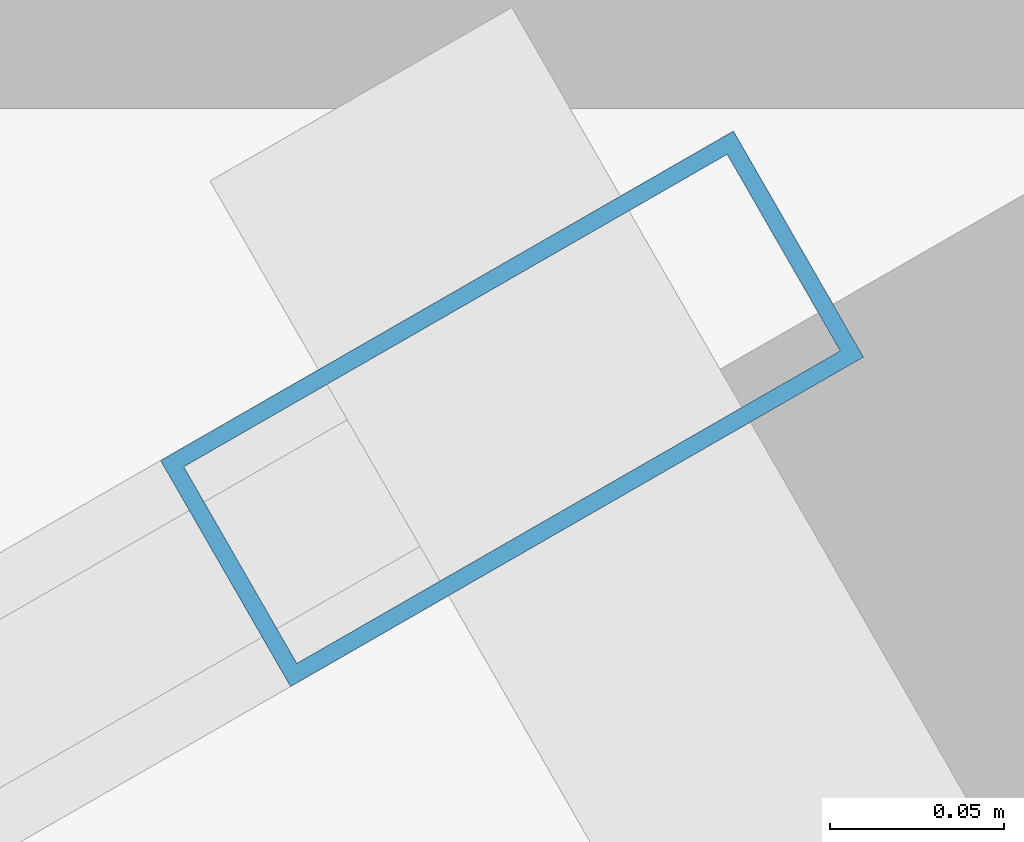
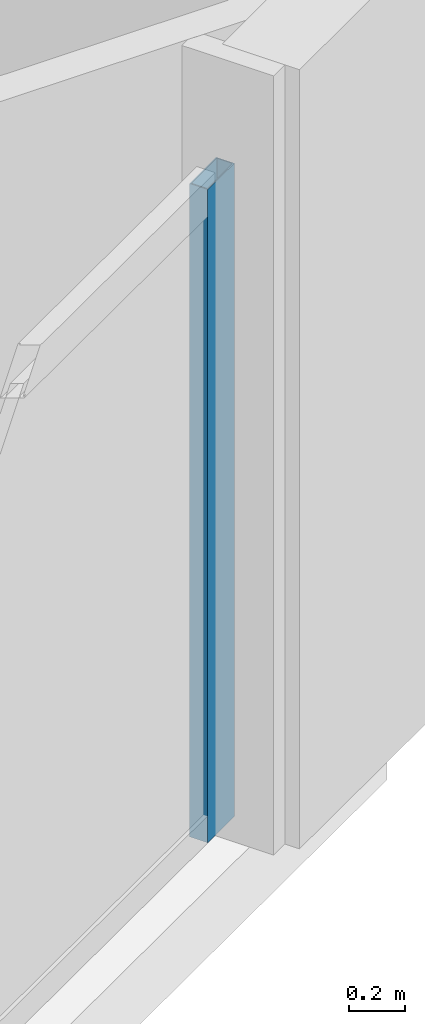
# One storey, part 9 of 33: 1 member, 1 element without a shape of its own.
"""IFC4 building model written with IfcOpenShell, lengths in metres."""

from ifc_helpers import new_model, si_unit, direction, frame, origin, origin_2d, place, context, subcontext, project, spatial, hollow_rectangle, extrude, material, material_profile, profile_set, type_object, element, aggregate, save


model = new_model("IFC4")

# Units and contexts
model_context = context("Model", 3, precision=1e-05, world=origin(), true_north=direction((0.0, 1.0)))
body_context = subcontext(model_context, "Body", "Model", "MODEL_VIEW")
ifc_project = project(units=[si_unit("LENGTHUNIT", "METRE"), si_unit("AREAUNIT", "SQUARE_METRE"), si_unit("VOLUMEUNIT", "CUBIC_METRE"), si_unit("PLANEANGLEUNIT", "RADIAN"), si_unit("MASSUNIT", "GRAM", prefix="KILO")], contexts=[model_context])

# Site, building, storey
site_placement = place(None, origin())
site = spatial("IfcSite", under=ifc_project, at=site_placement, CompositionType="ELEMENT")
building_placement = place(site_placement, origin())
building = spatial("IfcBuilding", under=site, at=building_placement, Name="Haldenkirk Collegiate Tower", CompositionType="ELEMENT")
storey_placement = place(building_placement, frame((0.0, 0.0, 127.949951171875)))
storey = spatial("IfcBuildingStorey", under=building, at=storey_placement, Name="L31", CompositionType="ELEMENT", Elevation=127.949951171875)

# Curtain wall, member
ifc_material = material(Name="Anodised architectural bronze aluminium", Category="aluminium")
curtain_wall_type = type_object("IfcCurtainWallType", Name="CW-SYS2-CONCAVE", PredefinedType="USERDEFINED", material=ifc_material)
curtain_wall_placement = place(storey_placement, origin())
curtain_wall = element("IfcCurtainWall", 1, at=curtain_wall_placement, inside=storey, type_object=curtain_wall_type, Name="L31 South concave recessed bronze-anodised curtain wall", ObjectType="UNITISED CURTAIN WALL", PredefinedType="USERDEFINED")
ifc_material_profile = material_profile(ifc_material, hollow_rectangle(XDim=0.074951171875, YDim=0.18994140625, WallThickness=0.0048828125, at=origin_2d()), Name="CW-MUL-02")
ifc_profile_set = profile_set([ifc_material_profile], Name="Anodised architectural bronze aluminium")
member_type = type_object("IfcMemberType", Name="CW-MUL-02", PredefinedType="MULLION", material=ifc_profile_set)
member_placement = place(storey_placement, frame((65.99169921875, 15.393798828125, 0.0), z_axis=(0.0, 0.0, 1.0), x_axis=(0.498488961578, -0.866896046355, 0.0)))
member = element("IfcMember", 2, at=member_placement, type_object=member_type, Name="CW-02 mullion 1", PredefinedType="MULLION", context=body_context, shape_type="SweptSolid", body=[
    extrude(hollow_rectangle(XDim=0.074951171875, YDim=0.18994140625, WallThickness=0.0048828125, at=origin_2d()), origin(), (0.0, 0.0, 1.0), 2.85107421875),
])
aggregate(curtain_wall, [member])

save(model, "model.ifc")
